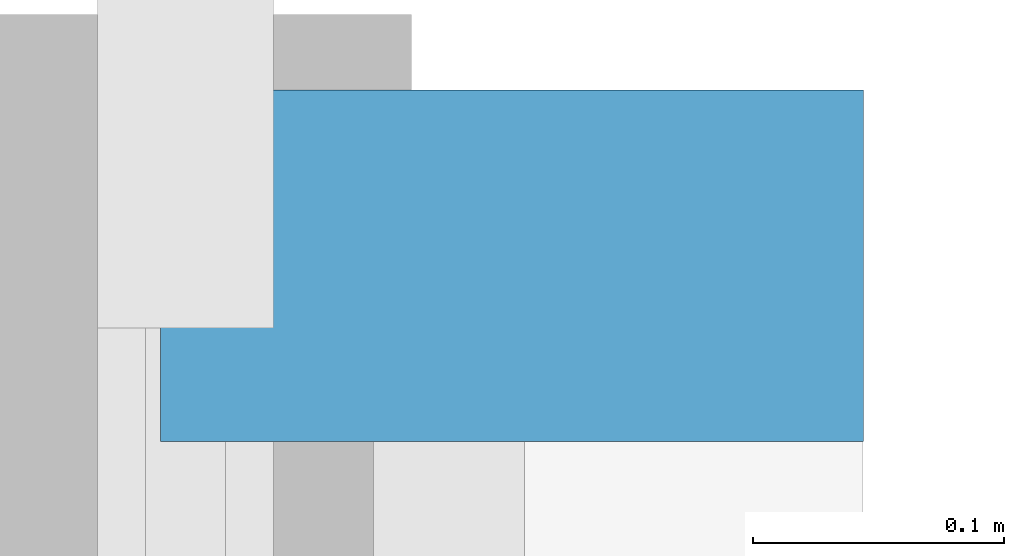
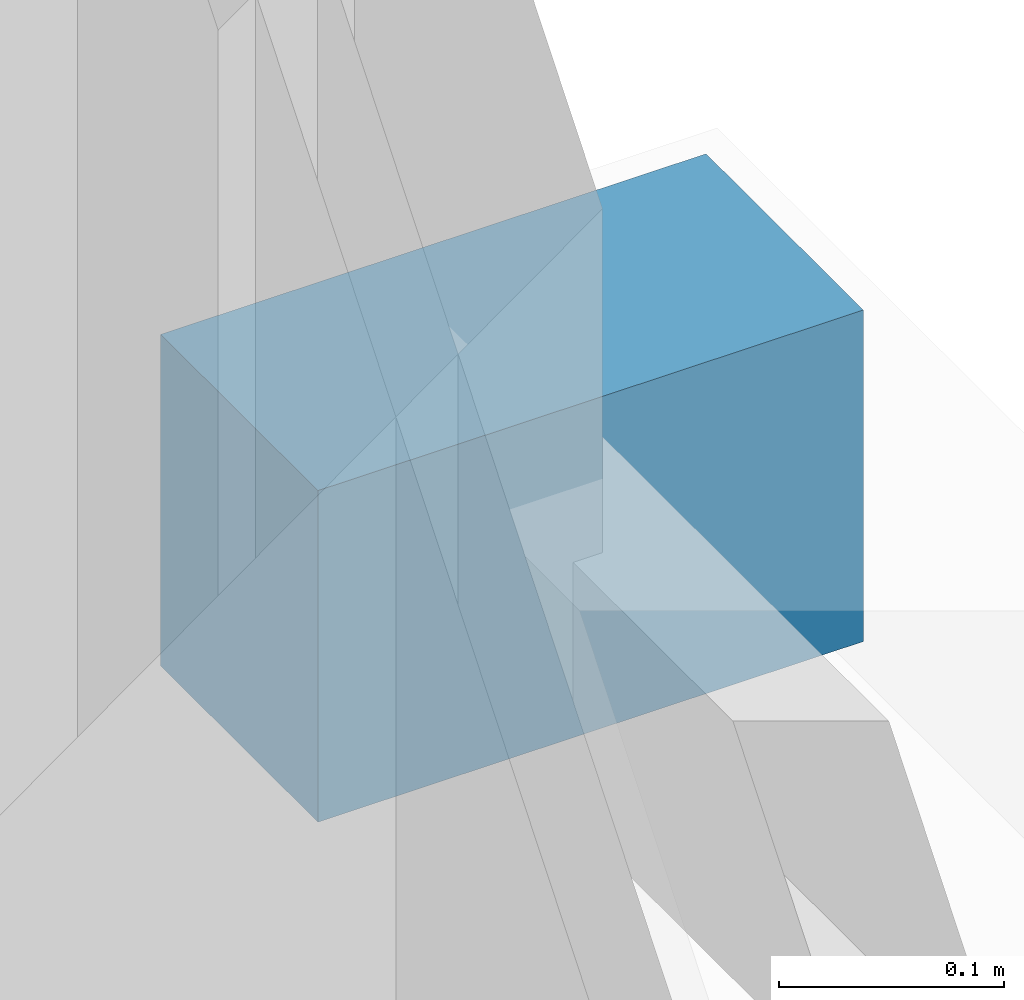
# One storey, part 11 of 15: 1 discrete accessory.
"""IFC4 building model written with IfcOpenShell, lengths in metres."""

import ifcopenshell
import ifcopenshell.guid

model = None  # the IFC model being written
_history = None  # IfcOwnerHistory: only IFC2X3 demands one
_inside = {}  # id of a spatial element -> (the spatial element, [elements in it])
_under = {}  # id of a project, library or spatial element -> (it, [spatial elements below it])
_declared = {}  # id of a project -> (the project, [libraries it declares])
_typed = {}  # id of a type object -> (the type object, [elements of that type])
_made_of = {}  # id of a material, layer set ... -> (it, [elements and type objects made of it])


def new_model(schema):
    """Start an empty IFC model of exactly this schema.

    Asked for "IFC4X3", IfcOpenShell would pick the latest addendum, in which some entities
    have other attributes; the version numbers below select the first issue.
    IFC2X3 requires an IfcOwnerHistory on every rooted entity: one is made here for all.
    """
    global model, _history
    if schema == "IFC4X3":
        model = ifcopenshell.file(schema_version=(4, 3, 0, 0))
    else:
        model = ifcopenshell.file(schema=schema)
    _inside.clear()
    _under.clear()
    _declared.clear()
    _typed.clear()
    _made_of.clear()
    _history = None
    if model.schema == "IFC2X3":
        org = make("IfcOrganization", Name="unknown")
        user = make(
            "IfcPersonAndOrganization",
            ThePerson=make("IfcPerson", FamilyName="unknown"),
            TheOrganization=org,
        )
        app = make(
            "IfcApplication",
            ApplicationDeveloper=org,
            Version="unknown",
            ApplicationFullName="unknown",
            ApplicationIdentifier="unknown",
        )
        _history = make(
            "IfcOwnerHistory",
            OwningUser=user,
            OwningApplication=app,
            ChangeAction="ADDED",
            CreationDate=0,
        )
    return model


def make(cls, **values):
    """One entity of the class cls with the attributes given. An attribute that is None is left unset."""
    return model.create_entity(
        cls, **{name: value for name, value in values.items() if value is not None}
    )


def rooted(cls, **values):
    """An entity with a GlobalId (a new one), such as an element, a storey or a relation."""
    return make(cls, GlobalId=ifcopenshell.guid.new(), OwnerHistory=_history, **values)


def si_unit(unit_type, name, prefix=None):
    """IfcSIUnit, for example si_unit("LENGTHUNIT", "METRE", prefix="MILLI")."""
    return make("IfcSIUnit", UnitType=unit_type, Prefix=prefix, Name=name)


def assignment(units):
    """IfcUnitAssignment: the units of a project."""
    return None if units is None else make("IfcUnitAssignment", Units=units)


def point(xyz):
    """IfcCartesianPoint."""
    return None if xyz is None else make("IfcCartesianPoint", Coordinates=xyz)


def direction(xyz):
    """IfcDirection."""
    return None if xyz is None else make("IfcDirection", DirectionRatios=xyz)


def frame(location, z_axis=None, x_axis=None):
    """IfcAxis2Placement3D, a coordinate frame: its origin and axes. An axis left out is left unset."""
    return make(
        "IfcAxis2Placement3D",
        Location=point(location),
        Axis=direction(z_axis),
        RefDirection=direction(x_axis),
    )


def frame_2d(location, x_axis=None):
    """IfcAxis2Placement2D, a coordinate frame in the plane: its origin and x axis."""
    return make(
        "IfcAxis2Placement2D", Location=point(location), RefDirection=direction(x_axis)
    )


def origin():
    """The frame at (0, 0, 0) with its axes left unset."""
    return frame((0.0, 0.0, 0.0))


def origin_2d():
    """The frame at (0, 0) in the plane with its x axis left unset."""
    return frame_2d((0.0, 0.0))


def place(relative_to, where):
    """IfcLocalPlacement: puts the frame where relative to a parent placement (None: the world)."""
    return make(
        "IfcLocalPlacement", PlacementRelTo=relative_to, RelativePlacement=where
    )


def context(
    kind, dimensions, precision=None, world=None, true_north=None, identifier=None
):
    """IfcGeometricRepresentationContext, for example the 3D "Model" context."""
    return make(
        "IfcGeometricRepresentationContext",
        ContextIdentifier=identifier,
        ContextType=kind,
        CoordinateSpaceDimension=dimensions,
        Precision=precision,
        WorldCoordinateSystem=world,
        TrueNorth=true_north,
    )


def subcontext(parent, identifier, kind, view, scale=None):
    """IfcGeometricRepresentationSubContext, for example "Body" below "Model"."""
    return make(
        "IfcGeometricRepresentationSubContext",
        ContextIdentifier=identifier,
        ContextType=kind,
        ParentContext=parent,
        TargetScale=scale,
        TargetView=view,
    )


def project(units=None, contexts=None):
    """IfcProject with its units and contexts."""
    return rooted(
        "IfcProject",
        Name="project",
        RepresentationContexts=contexts,
        UnitsInContext=assignment(units),
    )


def spatial(cls, under=None, at=None, **own):
    """A site, building, storey or space (cls), placed at a placement, below another one or the project."""
    s = rooted(cls, ObjectPlacement=at, **own)
    if under is not None:
        _under.setdefault(under.id(), (under, []))[1].append(s)
    return s


def profile(cls, at=None, kind="AREA", **sizes):
    """A parametric profile (cls). Its sizes go by their IFC names, for example OverallWidth=200.0."""
    return make(cls, ProfileType=kind, Position=at, **sizes)


def rectangle(**sizes):
    """IfcRectangleProfileDef."""
    return profile("IfcRectangleProfileDef", **sizes)


def extrude(swept, where, along, depth):
    """IfcExtrudedAreaSolid: the profile swept, set in the frame where, extruded along a direction by depth."""
    return make(
        "IfcExtrudedAreaSolid",
        SweptArea=swept,
        Position=where,
        ExtrudedDirection=direction(along),
        Depth=depth,
    )


def shape(context_of_items, identifier, shape_type, items):
    """IfcShapeRepresentation: the items that make up one representation, for example the "Body"."""
    return make(
        "IfcShapeRepresentation",
        ContextOfItems=context_of_items,
        RepresentationIdentifier=identifier,
        RepresentationType=shape_type,
        Items=items,
    )


def material(Name=None, Category=None):
    """IfcMaterial."""
    return make("IfcMaterial", Name=Name, Category=Category)


def made_of(thing, what):
    """Note that an element or type object is made of a material, layer set ...; save() writes the relation."""
    if what is not None:
        _made_of.setdefault(what.id(), (what, []))[1].append(thing)
    return thing


def type_object(cls, material=None, **own):
    """A type object (cls), such as IfcWallType, which elements share."""
    return made_of(rooted(cls, **own), material)


def element(
    cls,
    number,
    at=None,
    inside=None,
    cuts=None,
    type_object=None,
    material=None,
    context=None,
    identifier="Body",
    shape_type=None,
    held_by="IfcProductDefinitionShape",
    body=None,
    shapes=None,
    **own,
):
    """One element of the class cls, such as IfcWall. Its Tag is "e" and its number.

    at: its placement. inside: the storey or other place that contains it. cuts: it is an
    opening in that element (IfcRelVoidsElement). A single representation is given by context,
    identifier, shape_type and body (its items); several are given by shapes. held_by: the class
    of the entity that holds the representations. save() writes the other relations.
    """
    e = rooted(cls, Tag="e%d" % number, ObjectPlacement=at, **own)
    if body is not None:
        shapes = [shape(context, identifier, shape_type, body)]
    if shapes is not None:
        e.Representation = make(held_by, Representations=shapes)
    if inside is not None:
        _inside.setdefault(inside.id(), (inside, []))[1].append(e)
    if cuts is not None:
        rooted(
            "IfcRelVoidsElement", RelatingBuildingElement=cuts, RelatedOpeningElement=e
        )
    if type_object is not None:
        _typed.setdefault(type_object.id(), (type_object, []))[1].append(e)
    return made_of(e, material)


def aggregate(whole, parts):
    """IfcRelAggregates: a whole, such as a stair, and the parts it consists of."""
    return rooted("IfcRelAggregates", RelatingObject=whole, RelatedObjects=parts)


def save(model, path):
    """Write the relations noted so far, then the file.

    IfcRelAggregates (storeys below a building ...), IfcRelContainedInSpatialStructure (elements
    in a storey), IfcRelDefinesByType, IfcRelAssociatesMaterial and IfcRelDeclares: one each for
    every whole, place, type object, material and project.
    """
    for whole, parts in _under.values():
        aggregate(whole, parts)
    for where, things in _inside.values():
        rooted(
            "IfcRelContainedInSpatialStructure",
            RelatedElements=things,
            RelatingStructure=where,
        )
    for kind, things in _typed.values():
        rooted("IfcRelDefinesByType", RelatedObjects=things, RelatingType=kind)
    for what, things in _made_of.values():
        rooted("IfcRelAssociatesMaterial", RelatedObjects=things, RelatingMaterial=what)
    for by, libraries in _declared.values():
        rooted("IfcRelDeclares", RelatingContext=by, RelatedDefinitions=libraries)
    model.write(path)


model = new_model("IFC4")

# Units and contexts
model_context = context("Model", 3, precision=1e-05, world=origin(), true_north=direction((0.0, 1.0)))
body_context = subcontext(model_context, "Body", "Model", "MODEL_VIEW")
ifc_project = project(units=[si_unit("LENGTHUNIT", "METRE"), si_unit("AREAUNIT", "SQUARE_METRE"), si_unit("VOLUMEUNIT", "CUBIC_METRE"), si_unit("PLANEANGLEUNIT", "RADIAN"), si_unit("MASSUNIT", "GRAM", prefix="KILO")], contexts=[model_context])

# Site, building, storey
site_placement = place(None, origin())
site = spatial("IfcSite", under=ifc_project, at=site_placement, CompositionType="ELEMENT")
building_placement = place(site_placement, origin())
building = spatial("IfcBuilding", under=site, at=building_placement, Name="Kinhvarn Gate Tower", CompositionType="ELEMENT")
storey_placement = place(building_placement, frame((0.0, 0.0, 39.800048828125)))
storey = spatial("IfcBuildingStorey", under=building, at=storey_placement, Name="L09", CompositionType="ELEMENT", Elevation=39.800048828125)

# Discrete accessory
ifc_material = material(Name="Anodised aluminium AW-6063", Category="aluminium")
discrete_accessory_type = type_object("IfcDiscreteAccessoryType", Name="ACC-BRK-01", PredefinedType="BRACKET", material=ifc_material)
discrete_accessory_placement = place(storey_placement, frame((53.5400390625, 44.39990234375, 2.830078125), z_axis=(0.0, 0.0, 1.0), x_axis=(0.0, 1.0, 0.0)))
element("IfcDiscreteAccessory", 1, at=discrete_accessory_placement, inside=storey, type_object=discrete_accessory_type, Name="Baguette Support Bracket BK-01 (L09)", PredefinedType="BRACKET", context=body_context, shape_type="SweptSolid", body=[
    extrude(rectangle(XDim=0.139892578125, YDim=0.280029296875, at=origin_2d()), origin(), (0.0, 0.0, 1.0), 0.179931640625),
])

save(model, "model.ifc")
